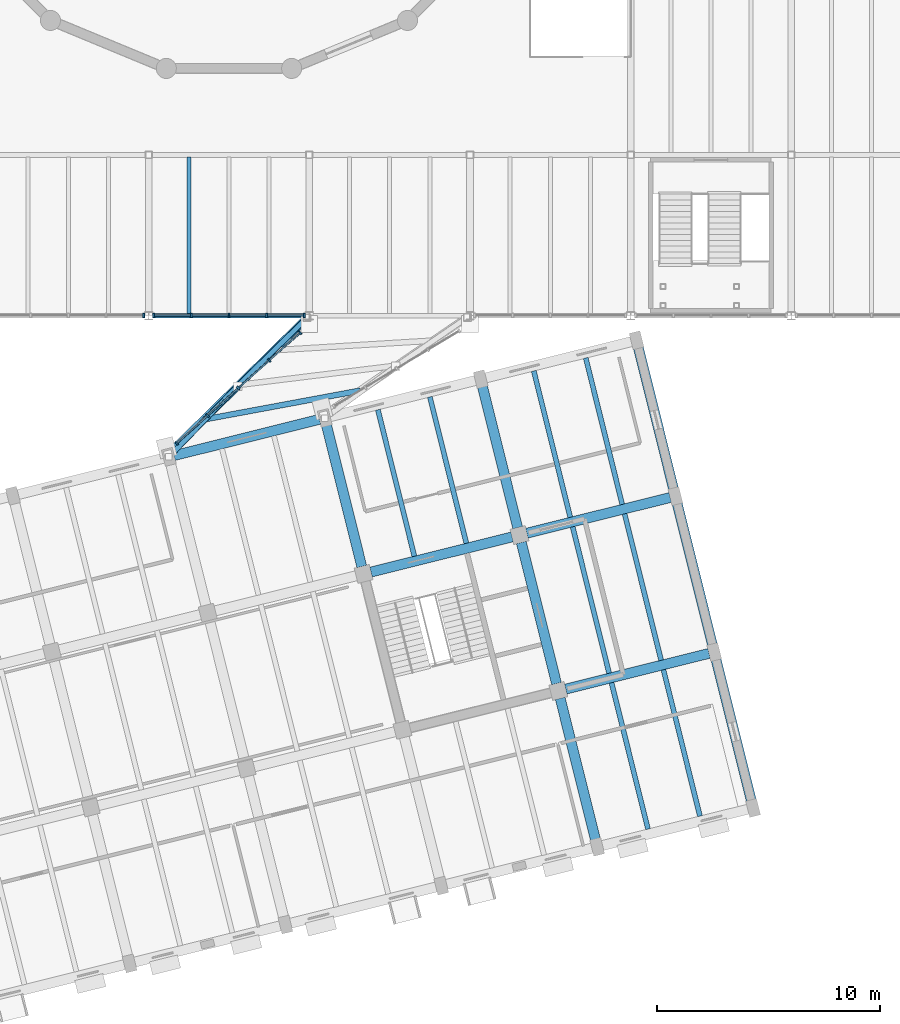
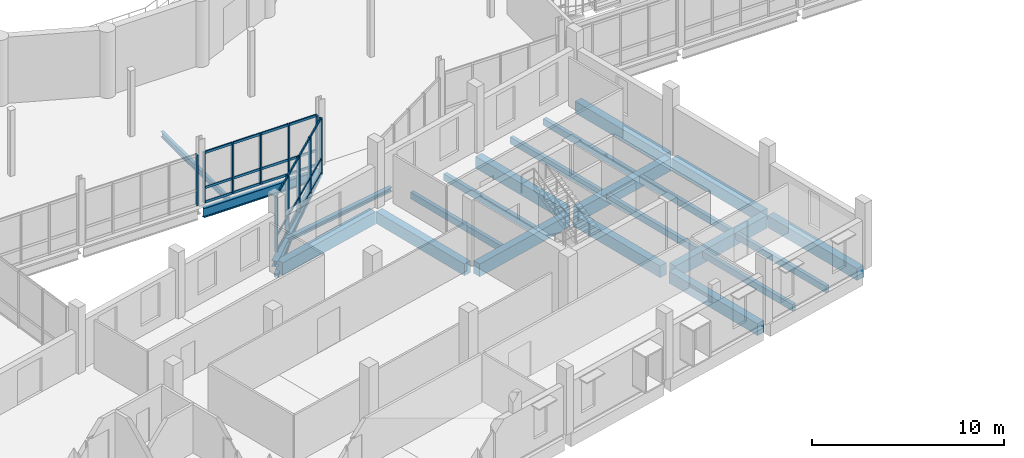
# One storey, part 23 of 72: 37 members, 23 beams, 3 elements without a shape of their own.
"""IFC4 building model written with IfcOpenShell, lengths in metres."""

from ifc_helpers import new_model, si_unit, direction, frame, origin, origin_2d, place, context, subcontext, project, spatial, rectangle, hollow_rectangle, i_section, extrude, material, material_profile, profile_set, type_object, element, aggregate, save


model = new_model("IFC4")

# Units and contexts
model_context = context("Model", 3, precision=1e-05, world=origin(), true_north=direction((0.0, 1.0)))
body_context = subcontext(model_context, "Body", "Model", "MODEL_VIEW")
ifc_project = project(units=[si_unit("LENGTHUNIT", "METRE"), si_unit("AREAUNIT", "SQUARE_METRE"), si_unit("VOLUMEUNIT", "CUBIC_METRE"), si_unit("PLANEANGLEUNIT", "RADIAN"), si_unit("MASSUNIT", "GRAM", prefix="KILO")], contexts=[model_context])

# Site, building, storey
site_placement = place(None, origin())
site = spatial("IfcSite", under=ifc_project, at=site_placement, CompositionType="ELEMENT")
building_placement = place(site_placement, origin())
building = spatial("IfcBuilding", under=site, at=building_placement, Name="Qiaolan Assembly House", CompositionType="ELEMENT")
storey_placement = place(building_placement, frame((0.0, 0.0, 10.199951171875)))
storey = spatial("IfcBuildingStorey", under=building, at=storey_placement, Name="L02", CompositionType="ELEMENT", Elevation=10.199951171875)

# Beams
ifc_material_1 = material(Name="Steel Q355B", Category="steel")
ifc_material_profile_1 = material_profile(ifc_material_1, i_section(OverallWidth=0.35009765625, OverallDepth=0.35009765625, WebThickness=0.011962890625, FlangeThickness=0.01904296875, FilletRadius=0.02001953125, at=origin_2d()), Name="HW 350x350x12x19-BR")
ifc_profile_set_1 = profile_set([ifc_material_profile_1], Name="Steel Q355B")
beam_type_1 = type_object("IfcBeamType", Name="BM-BRIDGE-CHORD-HW350", PredefinedType="BEAM", material=ifc_profile_set_1)
beam_1_placement = place(storey_placement, frame((65.676025390625, 29.783935546875, -0.364990234375), z_axis=(0.713164913251, 0.700996295645, 0.0), x_axis=(-0.700996295645, 0.713164913251, 0.0)))
element("IfcBeam", 1, at=beam_1_placement, inside=storey, type_object=beam_type_1, Name="BGB-01 skybridge main girder EB L02", PredefinedType="BEAM", context=body_context, shape_type="SweptSolid", body=[
    extrude(i_section(OverallWidth=0.35009765625, OverallDepth=0.35009765625, WebThickness=0.011962890625, FlangeThickness=0.01904296875, FilletRadius=0.02001953125, at=origin_2d()), origin(), (0.0, 0.0, 1.0), 8.7275390625),
])
ifc_material_profile_2 = material_profile(ifc_material_1, i_section(OverallWidth=0.25, OverallDepth=0.25, WebThickness=0.009033203125, FlangeThickness=0.013916015625, FilletRadius=0.01611328125, at=origin_2d()), Name="HW 250x250x9x14")
ifc_profile_set_2 = profile_set([ifc_material_profile_2], Name="Steel Q355B")
beam_type_2 = type_object("IfcBeamType", Name="BM-BRIDGE-CROSS-HW250", PredefinedType="BEAM", material=ifc_profile_set_2)
beam_2_placement = place(storey_placement, frame((67.257080078125, 31.337890625, -0.31494140625), z_axis=(0.983212514339, 0.182464110572, 0.0), x_axis=(-0.182464110572, 0.983212514339, 0.0)))
element("IfcBeam", 2, at=beam_2_placement, inside=storey, type_object=beam_type_2, Name="BGB-02 skybridge cross beam EB L02", PredefinedType="BEAM", context=body_context, shape_type="SweptSolid", body=[
    extrude(i_section(OverallWidth=0.25, OverallDepth=0.25, WebThickness=0.009033203125, FlangeThickness=0.013916015625, FilletRadius=0.01611328125, at=origin_2d()), origin(), (0.0, 0.0, 1.0), 7.15966796875),
])
ifc_material_2 = material(Name="Concrete C40/50", Category="concrete")
ifc_material_profile_3 = material_profile(ifc_material_2, rectangle(XDim=0.449951171875, YDim=0.75, at=origin_2d()), Name="RCB 450x750")
ifc_profile_set_3 = profile_set([ifc_material_profile_3], Name="Concrete C40/50")
beam_type_3 = type_object("IfcBeamType", Name="BM-RC-450x750", PredefinedType="BEAM", material=ifc_profile_set_3)
for number, where, z_axis, x_axis, name in (
    (3, (74.350830078125, 24.753173828125, -0.625), (-0.241928153868, 0.970294165893, 0.0), (-0.970294165893, -0.241928153868, 0.0), "GB-04 beam BMV-SE-L02-06-02"),
    (4, (84.8447265625, 12.42578125, -0.625), (-0.241893432628, 0.970302822448, 0.0), (-0.970302822448, -0.241893432628, 0.0), "GB-04 beam BMV-SE-L02-07-00"),
):
    element("IfcBeam", number, at=place(storey_placement, frame(where, z_axis=z_axis, x_axis=x_axis)), inside=storey, type_object=beam_type_3, Name=name, PredefinedType="BEAM", context=body_context, shape_type="SweptSolid", body=[
        extrude(rectangle(XDim=0.449951171875, YDim=0.75, at=origin_2d()), origin(), (0.0, 0.0, 1.0), 6.619873046875),
    ])
beam_3_placement = place(storey_placement, frame((83.078857421875, 19.5087890625, -0.625), z_axis=(-0.241927658105, 0.970294289504, 0.0), x_axis=(-0.970294289504, -0.241927658105, 0.0)))
element("IfcBeam", 5, at=beam_3_placement, inside=storey, type_object=beam_type_3, Name="GB-04 beam BMV-SE-L02-07-01", PredefinedType="BEAM", context=body_context, shape_type="SweptSolid", body=[
    extrude(rectangle(XDim=0.449951171875, YDim=0.75, at=origin_2d()), origin(), (0.0, 0.0, 1.0), 6.52001953125),
])
beam_4_placement = place(storey_placement, frame((81.3369140625, 26.4951171875, -0.625), z_axis=(-0.241928153868, 0.970294165893, 0.0), x_axis=(-0.970294165893, -0.241928153868, 0.0)))
element("IfcBeam", 6, at=beam_4_placement, inside=storey, type_object=beam_type_3, Name="GB-04 beam BMV-SE-L02-07-02", PredefinedType="BEAM", context=body_context, shape_type="SweptSolid", body=[
    extrude(rectangle(XDim=0.449951171875, YDim=0.75, at=origin_2d()), origin(), (0.0, 0.0, 1.0), 6.619873046875),
])
beam_5_placement = place(storey_placement, frame((91.8310546875, 14.16748046875, -0.625), z_axis=(-0.241920106756, 0.970296172283, 0.0), x_axis=(-0.970296172283, -0.241920106756, 0.0)))
element("IfcBeam", 7, at=beam_5_placement, inside=storey, type_object=beam_type_3, Name="GB-04 beam BMV-SE-L02-08-00", PredefinedType="BEAM", context=body_context, shape_type="SweptSolid", body=[
    extrude(rectangle(XDim=0.449951171875, YDim=0.75, at=origin_2d()), origin(), (0.0, 0.0, 1.0), 6.72021484375),
])
for number, where, z_axis, x_axis, name in (
    (8, (90.089111328125, 21.15380859375, -0.625), (-0.241928634891, 0.970294045957, 0.0), (-0.970294045957, -0.241928634891, 0.0), "GB-04 beam BMV-SE-L02-08-01"),
    (9, (88.347412109375, 28.139892578125, -0.625), (-0.241928634891, 0.970294045957, 0.0), (-0.970294045957, -0.241928634891, 0.0), "GB-04 beam BMV-SE-L02-08-02"),
):
    element("IfcBeam", number, at=place(storey_placement, frame(where, z_axis=z_axis, x_axis=x_axis)), inside=storey, type_object=beam_type_3, Name=name, PredefinedType="BEAM", context=body_context, shape_type="SweptSolid", body=[
        extrude(rectangle(XDim=0.449951171875, YDim=0.75, at=origin_2d()), origin(), (0.0, 0.0, 1.0), 6.719970703125),
    ])
ifc_material_profile_4 = material_profile(ifc_material_2, rectangle(XDim=0.449951171875, YDim=0.800048828125, at=origin_2d()), Name="RCB 450x800")
ifc_profile_set_4 = profile_set([ifc_material_profile_4], Name="Concrete C40/50")
beam_type_4 = type_object("IfcBeamType", Name="BM-RC-450x800", PredefinedType="BEAM", material=ifc_profile_set_4)
beam_6_placement = place(storey_placement, frame((83.490966796875, 19.26123046875, -0.64990234375), z_axis=(0.970294165893, 0.241928153868, 0.0), x_axis=(-0.241928153868, 0.970294165893, 0.0)))
element("IfcBeam", 10, at=beam_6_placement, inside=storey, type_object=beam_type_4, Name="GB-03 beam BMU-SE-L02-07-01", PredefinedType="BEAM", context=body_context, shape_type="SweptSolid", body=[
    extrude(rectangle(XDim=0.449951171875, YDim=0.800048828125, at=origin_2d()), origin(), (0.0, 0.0, 1.0), 6.619873046875),
])
beam_7_placement = place(storey_placement, frame((74.762939453125, 24.505615234375, -0.64990234375), z_axis=(0.970303078658, 0.241892404898, 0.0), x_axis=(-0.241892404898, 0.970303078658, 0.0)))
element("IfcBeam", 11, at=beam_7_placement, inside=storey, type_object=beam_type_4, Name="GB-03 beam BMU-SE-L02-06-02", PredefinedType="BEAM", context=body_context, shape_type="SweptSolid", body=[
    extrude(rectangle(XDim=0.449951171875, YDim=0.800048828125, at=origin_2d()), origin(), (0.0, 0.0, 1.0), 6.52001953125),
])
beam_8_placement = place(storey_placement, frame((81.7490234375, 26.247314453125, -0.64990234375), z_axis=(0.970296324294, 0.241919497068, 0.0), x_axis=(-0.241919497068, 0.970296324294, 0.0)))
element("IfcBeam", 12, at=beam_8_placement, inside=storey, type_object=beam_type_4, Name="GB-03 beam BMU-SE-L02-07-02", PredefinedType="BEAM", context=body_context, shape_type="SweptSolid", body=[
    extrude(rectangle(XDim=0.449951171875, YDim=0.800048828125, at=origin_2d()), origin(), (0.0, 0.0, 1.0), 6.6201171875),
])
beam_9_placement = place(storey_placement, frame((65.93798828125, 29.7255859375, -0.64990234375), z_axis=(0.970296172283, 0.241920106756, 0.0), x_axis=(-0.241920106756, 0.970296172283, 0.0)))
element("IfcBeam", 13, at=beam_9_placement, inside=storey, type_object=beam_type_4, Name="GB-03 beam BMU-SE-L02-05-03", PredefinedType="BEAM", context=body_context, shape_type="SweptSolid", body=[
    extrude(rectangle(XDim=0.449951171875, YDim=0.800048828125, at=origin_2d()), origin(), (0.0, 0.0, 1.0), 6.72021484375),
])
ifc_material_profile_5 = material_profile(ifc_material_1, i_section(OverallWidth=0.2099609375, OverallDepth=0.610107421875, WebThickness=0.010986328125, FlangeThickness=0.01806640625, FilletRadius=0.02001953125, at=origin_2d()), Name="HN 610x210x11x18")
ifc_profile_set_5 = profile_set([ifc_material_profile_5], Name="Steel Q355B")
beam_type_5 = type_object("IfcBeamType", Name="BM-STL-HN610", PredefinedType="BEAM", material=ifc_profile_set_5)
beam_10_placement = place(storey_placement, frame((64.965087890625, 36.0, -0.60498046875), z_axis=(1.0, 0.0, 0.0), x_axis=(0.0, 1.0, 0.0)))
element("IfcBeam", 14, at=beam_10_placement, inside=storey, type_object=beam_type_5, Name="SB-11 beam BMX-HL-L02-06-00", PredefinedType="BEAM", context=body_context, shape_type="SweptSolid", body=[
    extrude(i_section(OverallWidth=0.2099609375, OverallDepth=0.610107421875, WebThickness=0.010986328125, FlangeThickness=0.01806640625, FilletRadius=0.02001953125, at=origin_2d()), origin(), (0.0, 0.0, 1.0), 6.869873046875),
])

# Curtain wall, members
ifc_material_3 = material(Name="Anodised bronze aluminium", Category="aluminium")
curtain_wall_type_1 = type_object("IfcCurtainWallType", Name="CW-BRIDGE-420", PredefinedType="NOTDEFINED", material=ifc_material_3)
curtain_wall_1_placement = place(storey_placement, origin())
curtain_wall_1 = element("IfcCurtainWall", 15, at=curtain_wall_1_placement, inside=storey, type_object=curtain_wall_type_1, Name="CW-03 Glazed Skybridge Curtain Wall EB L02 W", PredefinedType="NOTDEFINED")
ifc_material_profile_6 = material_profile(ifc_material_3, rectangle(XDim=0.077880859375, YDim=0.179931640625, at=origin_2d()), Name="MUL 78x180")
ifc_profile_set_6 = profile_set([ifc_material_profile_6], Name="Anodised bronze aluminium")
member_type_1 = type_object("IfcMemberType", Name="CW-BRIDGE-420-MUL", PredefinedType="MULLION", material=ifc_profile_set_6)
member_1_placement = place(storey_placement, frame((66.054443359375, 30.277099609375, 0.0), z_axis=(0.0, 0.0, 1.0), x_axis=(0.745038147648, 0.667021857624, 0.0)))
member_1 = element("IfcMember", 16, at=member_1_placement, type_object=member_type_1, Name="ML-04 mullion CW-BRIDGE-EB-L02-W-1", PredefinedType="MULLION", context=body_context, shape_type="SweptSolid", body=[
    extrude(rectangle(XDim=0.077880859375, YDim=0.179931640625, at=origin_2d()), origin(), (0.0, 0.0, 1.0), 3.550048828125),
])
member_2_placement = place(storey_placement, frame((67.4384765625, 31.51611328125, 0.0), z_axis=(0.0, 0.0, 1.0), x_axis=(0.745038147648, 0.667021857624, 0.0)))
member_2 = element("IfcMember", 17, at=member_2_placement, type_object=member_type_1, Name="ML-04 mullion CW-BRIDGE-EB-L02-W-2", PredefinedType="MULLION", context=body_context, shape_type="SweptSolid", body=[
    extrude(rectangle(XDim=0.077880859375, YDim=0.179931640625, at=origin_2d()), origin(), (0.0, 0.0, 1.0), 3.550048828125),
])
member_3_placement = place(storey_placement, frame((68.822265625, 32.755126953125, 0.0), z_axis=(0.0, 0.0, 1.0), x_axis=(0.745038147648, 0.667021857624, 0.0)))
member_3 = element("IfcMember", 18, at=member_3_placement, type_object=member_type_1, Name="ML-04 mullion CW-BRIDGE-EB-L02-W-3", PredefinedType="MULLION", context=body_context, shape_type="SweptSolid", body=[
    extrude(rectangle(XDim=0.077880859375, YDim=0.179931640625, at=origin_2d()), origin(), (0.0, 0.0, 1.0), 3.550048828125),
])
member_4_placement = place(storey_placement, frame((70.206298828125, 33.994140625, 0.0), z_axis=(0.0, 0.0, 1.0), x_axis=(0.745038147648, 0.667021857624, 0.0)))
member_4 = element("IfcMember", 19, at=member_4_placement, type_object=member_type_1, Name="ML-04 mullion CW-BRIDGE-EB-L02-W-4", PredefinedType="MULLION", context=body_context, shape_type="SweptSolid", body=[
    extrude(rectangle(XDim=0.077880859375, YDim=0.179931640625, at=origin_2d()), origin(), (0.0, 0.0, 1.0), 3.550048828125),
])
member_5_placement = place(storey_placement, frame((71.590087890625, 35.233154296875, 0.0), z_axis=(0.0, 0.0, 1.0), x_axis=(0.745038147648, 0.667021857624, 0.0)))
member_5 = element("IfcMember", 20, at=member_5_placement, type_object=member_type_1, Name="ML-04 mullion CW-BRIDGE-EB-L02-W-5", PredefinedType="MULLION", context=body_context, shape_type="SweptSolid", body=[
    extrude(rectangle(XDim=0.077880859375, YDim=0.179931640625, at=origin_2d()), origin(), (0.0, 0.0, 1.0), 3.550048828125),
])
ifc_material_profile_7 = material_profile(ifc_material_3, rectangle(XDim=0.068115234375, YDim=0.139892578125, at=origin_2d()), Name="TRN 68x140")
ifc_profile_set_7 = profile_set([ifc_material_profile_7], Name="Anodised bronze aluminium")
member_type_2 = type_object("IfcMemberType", Name="CW-BRIDGE-420-TRN", PredefinedType="USERDEFINED", material=ifc_profile_set_7)
member_6_placement = place(storey_placement, frame((66.08349609375, 30.302978515625, 0.030029296875), z_axis=(0.745058300166, 0.666999347341, 0.0), x_axis=(-0.666999347341, 0.745058300166, 0.0)))
member_6 = element("IfcMember", 21, at=member_6_placement, type_object=member_type_2, Name="TR-04 transom CW-BRIDGE-EB-L02-W-1-1", ObjectType="TRANSOM", PredefinedType="USERDEFINED", context=body_context, shape_type="SweptSolid", body=[
    extrude(rectangle(XDim=0.068115234375, YDim=0.139892578125, at=origin_2d()), origin(), (0.0, 0.0, 1.0), 1.779541015625),
])
member_7_placement = place(storey_placement, frame((66.08349609375, 30.302978515625, 0.949951171875), z_axis=(0.745058300166, 0.666999347341, 0.0), x_axis=(-0.666999347341, 0.745058300166, 0.0)))
member_7 = element("IfcMember", 22, at=member_7_placement, type_object=member_type_2, Name="TR-04 transom CW-BRIDGE-EB-L02-W-1-2", ObjectType="TRANSOM", PredefinedType="USERDEFINED", context=body_context, shape_type="SweptSolid", body=[
    extrude(rectangle(XDim=0.068115234375, YDim=0.139892578125, at=origin_2d()), origin(), (0.0, 0.0, 1.0), 1.779541015625),
])
member_8_placement = place(storey_placement, frame((66.08349609375, 30.302978515625, 3.52001953125), z_axis=(0.745058300166, 0.666999347341, 0.0), x_axis=(-0.666999347341, 0.745058300166, 0.0)))
member_8 = element("IfcMember", 23, at=member_8_placement, type_object=member_type_2, Name="TR-04 transom CW-BRIDGE-EB-L02-W-1-3", ObjectType="TRANSOM", PredefinedType="USERDEFINED", context=body_context, shape_type="SweptSolid", body=[
    extrude(rectangle(XDim=0.068115234375, YDim=0.139892578125, at=origin_2d()), origin(), (0.0, 0.0, 1.0), 1.779541015625),
])
member_9_placement = place(storey_placement, frame((67.467529296875, 31.5419921875, 0.030029296875), z_axis=(0.744997258292, 0.66706752667, 0.0), x_axis=(-0.66706752667, 0.744997258292, 0.0)))
member_9 = element("IfcMember", 24, at=member_9_placement, type_object=member_type_2, Name="TR-04 transom CW-BRIDGE-EB-L02-W-2-1", ObjectType="TRANSOM", PredefinedType="USERDEFINED", context=body_context, shape_type="SweptSolid", body=[
    extrude(rectangle(XDim=0.068115234375, YDim=0.139892578125, at=origin_2d()), origin(), (0.0, 0.0, 1.0), 1.779541015625),
])
member_10_placement = place(storey_placement, frame((67.467529296875, 31.5419921875, 0.949951171875), z_axis=(0.744997258292, 0.66706752667, 0.0), x_axis=(-0.66706752667, 0.744997258292, 0.0)))
member_10 = element("IfcMember", 25, at=member_10_placement, type_object=member_type_2, Name="TR-04 transom CW-BRIDGE-EB-L02-W-2-2", ObjectType="TRANSOM", PredefinedType="USERDEFINED", context=body_context, shape_type="SweptSolid", body=[
    extrude(rectangle(XDim=0.068115234375, YDim=0.139892578125, at=origin_2d()), origin(), (0.0, 0.0, 1.0), 1.779541015625),
])
member_11_placement = place(storey_placement, frame((67.467529296875, 31.5419921875, 3.52001953125), z_axis=(0.744997258292, 0.66706752667, 0.0), x_axis=(-0.66706752667, 0.744997258292, 0.0)))
member_11 = element("IfcMember", 26, at=member_11_placement, type_object=member_type_2, Name="TR-04 transom CW-BRIDGE-EB-L02-W-2-3", ObjectType="TRANSOM", PredefinedType="USERDEFINED", context=body_context, shape_type="SweptSolid", body=[
    extrude(rectangle(XDim=0.068115234375, YDim=0.139892578125, at=origin_2d()), origin(), (0.0, 0.0, 1.0), 1.779541015625),
])
member_12_placement = place(storey_placement, frame((68.851318359375, 32.781005859375, 0.030029296875), z_axis=(0.745058300166, 0.666999347341, 0.0), x_axis=(-0.666999347341, 0.745058300166, 0.0)))
member_12 = element("IfcMember", 27, at=member_12_placement, type_object=member_type_2, Name="TR-04 transom CW-BRIDGE-EB-L02-W-3-1", ObjectType="TRANSOM", PredefinedType="USERDEFINED", context=body_context, shape_type="SweptSolid", body=[
    extrude(rectangle(XDim=0.068115234375, YDim=0.139892578125, at=origin_2d()), origin(), (0.0, 0.0, 1.0), 1.779541015625),
])
member_13_placement = place(storey_placement, frame((68.851318359375, 32.781005859375, 0.949951171875), z_axis=(0.745058300166, 0.666999347341, 0.0), x_axis=(-0.666999347341, 0.745058300166, 0.0)))
member_13 = element("IfcMember", 28, at=member_13_placement, type_object=member_type_2, Name="TR-04 transom CW-BRIDGE-EB-L02-W-3-2", ObjectType="TRANSOM", PredefinedType="USERDEFINED", context=body_context, shape_type="SweptSolid", body=[
    extrude(rectangle(XDim=0.068115234375, YDim=0.139892578125, at=origin_2d()), origin(), (0.0, 0.0, 1.0), 1.779541015625),
])
member_14_placement = place(storey_placement, frame((68.851318359375, 32.781005859375, 3.52001953125), z_axis=(0.745058300166, 0.666999347341, 0.0), x_axis=(-0.666999347341, 0.745058300166, 0.0)))
member_14 = element("IfcMember", 29, at=member_14_placement, type_object=member_type_2, Name="TR-04 transom CW-BRIDGE-EB-L02-W-3-3", ObjectType="TRANSOM", PredefinedType="USERDEFINED", context=body_context, shape_type="SweptSolid", body=[
    extrude(rectangle(XDim=0.068115234375, YDim=0.139892578125, at=origin_2d()), origin(), (0.0, 0.0, 1.0), 1.779541015625),
])
member_15_placement = place(storey_placement, frame((70.2353515625, 34.02001953125, 0.030029296875), z_axis=(0.744997258292, 0.66706752667, 0.0), x_axis=(-0.66706752667, 0.744997258292, 0.0)))
member_15 = element("IfcMember", 30, at=member_15_placement, type_object=member_type_2, Name="TR-04 transom CW-BRIDGE-EB-L02-W-4-1", ObjectType="TRANSOM", PredefinedType="USERDEFINED", context=body_context, shape_type="SweptSolid", body=[
    extrude(rectangle(XDim=0.068115234375, YDim=0.139892578125, at=origin_2d()), origin(), (0.0, 0.0, 1.0), 1.779541015625),
])
member_16_placement = place(storey_placement, frame((70.2353515625, 34.02001953125, 0.949951171875), z_axis=(0.744997258292, 0.66706752667, 0.0), x_axis=(-0.66706752667, 0.744997258292, 0.0)))
member_16 = element("IfcMember", 31, at=member_16_placement, type_object=member_type_2, Name="TR-04 transom CW-BRIDGE-EB-L02-W-4-2", ObjectType="TRANSOM", PredefinedType="USERDEFINED", context=body_context, shape_type="SweptSolid", body=[
    extrude(rectangle(XDim=0.068115234375, YDim=0.139892578125, at=origin_2d()), origin(), (0.0, 0.0, 1.0), 1.779541015625),
])
member_17_placement = place(storey_placement, frame((70.2353515625, 34.02001953125, 3.52001953125), z_axis=(0.744997258292, 0.66706752667, 0.0), x_axis=(-0.66706752667, 0.744997258292, 0.0)))
member_17 = element("IfcMember", 32, at=member_17_placement, type_object=member_type_2, Name="TR-04 transom CW-BRIDGE-EB-L02-W-4-3", ObjectType="TRANSOM", PredefinedType="USERDEFINED", context=body_context, shape_type="SweptSolid", body=[
    extrude(rectangle(XDim=0.068115234375, YDim=0.139892578125, at=origin_2d()), origin(), (0.0, 0.0, 1.0), 1.779541015625),
])
aggregate(curtain_wall_1, [member_1, member_2, member_3, member_4, member_5, member_6, member_7, member_8, member_9, member_10, member_11, member_12, member_13, member_14, member_15, member_16, member_17])

# Curtain wall, member
curtain_wall_type_2 = type_object("IfcCurtainWallType", Name="CW-HALL-UPPER-480", PredefinedType="NOTDEFINED", material=ifc_material_3)
curtain_wall_2_placement = place(storey_placement, origin())
curtain_wall_2 = element("IfcCurtainWall", 33, at=curtain_wall_2_placement, inside=storey, type_object=curtain_wall_type_2, Name="CW-01 Hall South plaza curtain wall L02-5", PredefinedType="NOTDEFINED")
ifc_material_profile_8 = material_profile(ifc_material_3, rectangle(XDim=0.0859375, YDim=0.199951171875, at=origin_2d()), Name="MUL 86x200")
ifc_profile_set_8 = profile_set([ifc_material_profile_8], Name="Anodised bronze aluminium")
member_type_3 = type_object("IfcMemberType", Name="CW-HALL-UPPER-480-MUL", PredefinedType="MULLION", material=ifc_profile_set_8)
member_18_placement = place(storey_placement, frame((64.580078125, 36.0, 0.0), z_axis=(0.0, 0.0, 1.0), x_axis=(1.0, 0.0, 0.0)))
member_18 = element("IfcMember", 34, at=member_18_placement, type_object=member_type_3, Name="ML-02 mullion CW-HALL-S-L02-04-5", PredefinedType="MULLION", context=body_context, shape_type="SweptSolid", body=[
    extrude(rectangle(XDim=0.0859375, YDim=0.199951171875, at=origin_2d()), origin(), (0.0, 0.0, 1.0), 3.199951171875),
])
aggregate(curtain_wall_2, [member_18])

# Curtain wall, members
curtain_wall_3_placement = place(storey_placement, origin())
curtain_wall_3 = element("IfcCurtainWall", 35, at=curtain_wall_3_placement, inside=storey, type_object=curtain_wall_type_2, Name="CW-01 Hall South plaza curtain wall L02-6", PredefinedType="NOTDEFINED")
member_19_placement = place(storey_placement, frame((65.02001953125, 36.0, 0.0), z_axis=(0.0, 0.0, 1.0), x_axis=(1.0, 0.0, 0.0)))
member_19 = element("IfcMember", 36, at=member_19_placement, type_object=member_type_3, Name="ML-02 mullion CW-HALL-S-L02-05-1", PredefinedType="MULLION", context=body_context, shape_type="SweptSolid", body=[
    extrude(rectangle(XDim=0.0859375, YDim=0.199951171875, at=origin_2d()), origin(), (0.0, 0.0, 1.0), 3.199951171875),
])
member_20_placement = place(storey_placement, frame((66.7099609375, 36.0, 0.0), z_axis=(0.0, 0.0, 1.0), x_axis=(1.0, 0.0, 0.0)))
member_20 = element("IfcMember", 37, at=member_20_placement, type_object=member_type_3, Name="ML-02 mullion CW-HALL-S-L02-05-2", PredefinedType="MULLION", context=body_context, shape_type="SweptSolid", body=[
    extrude(rectangle(XDim=0.0859375, YDim=0.199951171875, at=origin_2d()), origin(), (0.0, 0.0, 1.0), 3.199951171875),
])
member_21_placement = place(storey_placement, frame((68.39990234375, 36.0, 0.0), z_axis=(0.0, 0.0, 1.0), x_axis=(1.0, 0.0, 0.0)))
member_21 = element("IfcMember", 38, at=member_21_placement, type_object=member_type_3, Name="ML-02 mullion CW-HALL-S-L02-05-3", PredefinedType="MULLION", context=body_context, shape_type="SweptSolid", body=[
    extrude(rectangle(XDim=0.0859375, YDim=0.199951171875, at=origin_2d()), origin(), (0.0, 0.0, 1.0), 3.199951171875),
])
member_22_placement = place(storey_placement, frame((70.090087890625, 36.0, 0.0), z_axis=(0.0, 0.0, 1.0), x_axis=(1.0, 0.0, 0.0)))
member_22 = element("IfcMember", 39, at=member_22_placement, type_object=member_type_3, Name="ML-02 mullion CW-HALL-S-L02-05-4", PredefinedType="MULLION", context=body_context, shape_type="SweptSolid", body=[
    extrude(rectangle(XDim=0.0859375, YDim=0.199951171875, at=origin_2d()), origin(), (0.0, 0.0, 1.0), 3.199951171875),
])
member_23_placement = place(storey_placement, frame((71.780029296875, 36.0, 0.0), z_axis=(0.0, 0.0, 1.0), x_axis=(1.0, 0.0, 0.0)))
member_23 = element("IfcMember", 40, at=member_23_placement, type_object=member_type_3, Name="ML-02 mullion CW-HALL-S-L02-05-5", PredefinedType="MULLION", context=body_context, shape_type="SweptSolid", body=[
    extrude(rectangle(XDim=0.0859375, YDim=0.199951171875, at=origin_2d()), origin(), (0.0, 0.0, 1.0), 3.199951171875),
])
ifc_material_profile_9 = material_profile(ifc_material_3, rectangle(XDim=0.075927734375, YDim=0.14990234375, at=origin_2d()), Name="TRN 76x150")
ifc_profile_set_9 = profile_set([ifc_material_profile_9], Name="Anodised bronze aluminium")
member_type_4 = type_object("IfcMemberType", Name="CW-HALL-UPPER-480-TRN", PredefinedType="USERDEFINED", material=ifc_profile_set_9)
member_24_placement = place(storey_placement, frame((65.06298828125, 36.0, 0.030029296875), z_axis=(1.0, 0.0, 0.0), x_axis=(0.0, 1.0, 0.0)))
member_24 = element("IfcMember", 41, at=member_24_placement, type_object=member_type_4, Name="TR-02 transom CW-HALL-S-L02-05-1-1", ObjectType="TRANSOM", PredefinedType="USERDEFINED", context=body_context, shape_type="SweptSolid", body=[
    extrude(rectangle(XDim=0.075927734375, YDim=0.14990234375, at=origin_2d()), origin(), (0.0, 0.0, 1.0), 1.60400390625),
])
member_25_placement = place(storey_placement, frame((65.06298828125, 36.0, 0.949951171875), z_axis=(1.0, 0.0, 0.0), x_axis=(0.0, 1.0, 0.0)))
member_25 = element("IfcMember", 42, at=member_25_placement, type_object=member_type_4, Name="TR-02 transom CW-HALL-S-L02-05-1-2", ObjectType="TRANSOM", PredefinedType="USERDEFINED", context=body_context, shape_type="SweptSolid", body=[
    extrude(rectangle(XDim=0.075927734375, YDim=0.14990234375, at=origin_2d()), origin(), (0.0, 0.0, 1.0), 1.60400390625),
])
member_26_placement = place(storey_placement, frame((65.06298828125, 36.0, 3.170166015625), z_axis=(1.0, 0.0, 0.0), x_axis=(0.0, 1.0, 0.0)))
member_26 = element("IfcMember", 43, at=member_26_placement, type_object=member_type_4, Name="TR-02 transom CW-HALL-S-L02-05-1-3", ObjectType="TRANSOM", PredefinedType="USERDEFINED", context=body_context, shape_type="SweptSolid", body=[
    extrude(rectangle(XDim=0.075927734375, YDim=0.14990234375, at=origin_2d()), origin(), (0.0, 0.0, 1.0), 1.60400390625),
])
member_27_placement = place(storey_placement, frame((66.7529296875, 36.0, 0.030029296875), z_axis=(1.0, 0.0, 0.0), x_axis=(0.0, 1.0, 0.0)))
member_27 = element("IfcMember", 44, at=member_27_placement, type_object=member_type_4, Name="TR-02 transom CW-HALL-S-L02-05-2-1", ObjectType="TRANSOM", PredefinedType="USERDEFINED", context=body_context, shape_type="SweptSolid", body=[
    extrude(rectangle(XDim=0.075927734375, YDim=0.14990234375, at=origin_2d()), origin(), (0.0, 0.0, 1.0), 1.60400390625),
])
member_28_placement = place(storey_placement, frame((66.7529296875, 36.0, 0.949951171875), z_axis=(1.0, 0.0, 0.0), x_axis=(0.0, 1.0, 0.0)))
member_28 = element("IfcMember", 45, at=member_28_placement, type_object=member_type_4, Name="TR-02 transom CW-HALL-S-L02-05-2-2", ObjectType="TRANSOM", PredefinedType="USERDEFINED", context=body_context, shape_type="SweptSolid", body=[
    extrude(rectangle(XDim=0.075927734375, YDim=0.14990234375, at=origin_2d()), origin(), (0.0, 0.0, 1.0), 1.60400390625),
])
member_29_placement = place(storey_placement, frame((66.7529296875, 36.0, 3.170166015625), z_axis=(1.0, 0.0, 0.0), x_axis=(0.0, 1.0, 0.0)))
member_29 = element("IfcMember", 46, at=member_29_placement, type_object=member_type_4, Name="TR-02 transom CW-HALL-S-L02-05-2-3", ObjectType="TRANSOM", PredefinedType="USERDEFINED", context=body_context, shape_type="SweptSolid", body=[
    extrude(rectangle(XDim=0.075927734375, YDim=0.14990234375, at=origin_2d()), origin(), (0.0, 0.0, 1.0), 1.60400390625),
])
member_30_placement = place(storey_placement, frame((68.443115234375, 36.0, 0.030029296875), z_axis=(1.0, 0.0, 0.0), x_axis=(0.0, 1.0, 0.0)))
member_30 = element("IfcMember", 47, at=member_30_placement, type_object=member_type_4, Name="TR-02 transom CW-HALL-S-L02-05-3-1", ObjectType="TRANSOM", PredefinedType="USERDEFINED", context=body_context, shape_type="SweptSolid", body=[
    extrude(rectangle(XDim=0.075927734375, YDim=0.14990234375, at=origin_2d()), origin(), (0.0, 0.0, 1.0), 1.60400390625),
])
member_31_placement = place(storey_placement, frame((68.443115234375, 36.0, 0.949951171875), z_axis=(1.0, 0.0, 0.0), x_axis=(0.0, 1.0, 0.0)))
member_31 = element("IfcMember", 48, at=member_31_placement, type_object=member_type_4, Name="TR-02 transom CW-HALL-S-L02-05-3-2", ObjectType="TRANSOM", PredefinedType="USERDEFINED", context=body_context, shape_type="SweptSolid", body=[
    extrude(rectangle(XDim=0.075927734375, YDim=0.14990234375, at=origin_2d()), origin(), (0.0, 0.0, 1.0), 1.60400390625),
])
member_32_placement = place(storey_placement, frame((68.443115234375, 36.0, 3.170166015625), z_axis=(1.0, 0.0, 0.0), x_axis=(0.0, 1.0, 0.0)))
member_32 = element("IfcMember", 49, at=member_32_placement, type_object=member_type_4, Name="TR-02 transom CW-HALL-S-L02-05-3-3", ObjectType="TRANSOM", PredefinedType="USERDEFINED", context=body_context, shape_type="SweptSolid", body=[
    extrude(rectangle(XDim=0.075927734375, YDim=0.14990234375, at=origin_2d()), origin(), (0.0, 0.0, 1.0), 1.60400390625),
])
member_33_placement = place(storey_placement, frame((70.133056640625, 36.0, 0.030029296875), z_axis=(1.0, 0.0, 0.0), x_axis=(0.0, 1.0, 0.0)))
member_33 = element("IfcMember", 50, at=member_33_placement, type_object=member_type_4, Name="TR-02 transom CW-HALL-S-L02-05-4-1", ObjectType="TRANSOM", PredefinedType="USERDEFINED", context=body_context, shape_type="SweptSolid", body=[
    extrude(rectangle(XDim=0.075927734375, YDim=0.14990234375, at=origin_2d()), origin(), (0.0, 0.0, 1.0), 1.60400390625),
])
member_34_placement = place(storey_placement, frame((70.133056640625, 36.0, 0.949951171875), z_axis=(1.0, 0.0, 0.0), x_axis=(0.0, 1.0, 0.0)))
member_34 = element("IfcMember", 51, at=member_34_placement, type_object=member_type_4, Name="TR-02 transom CW-HALL-S-L02-05-4-2", ObjectType="TRANSOM", PredefinedType="USERDEFINED", context=body_context, shape_type="SweptSolid", body=[
    extrude(rectangle(XDim=0.075927734375, YDim=0.14990234375, at=origin_2d()), origin(), (0.0, 0.0, 1.0), 1.60400390625),
])
member_35_placement = place(storey_placement, frame((70.133056640625, 36.0, 3.170166015625), z_axis=(1.0, 0.0, 0.0), x_axis=(0.0, 1.0, 0.0)))
member_35 = element("IfcMember", 52, at=member_35_placement, type_object=member_type_4, Name="TR-02 transom CW-HALL-S-L02-05-4-3", ObjectType="TRANSOM", PredefinedType="USERDEFINED", context=body_context, shape_type="SweptSolid", body=[
    extrude(rectangle(XDim=0.075927734375, YDim=0.14990234375, at=origin_2d()), origin(), (0.0, 0.0, 1.0), 1.60400390625),
])
aggregate(curtain_wall_3, [member_19, member_20, member_21, member_22, member_23, member_24, member_25, member_26, member_27, member_28, member_29, member_30, member_31, member_32, member_33, member_34, member_35])

# Beams
ifc_material_profile_10 = material_profile(ifc_material_2, rectangle(XDim=0.219970703125, YDim=0.419921875, at=origin_2d()), Name="RCB 220x420")
ifc_profile_set_10 = profile_set([ifc_material_profile_10], Name="Concrete C40/50")
beam_type_6 = type_object("IfcBeamType", Name="JST-RC-220x420", PredefinedType="JOIST", material=ifc_profile_set_10)
beam_11_placement = place(storey_placement, frame((76.708740234375, 25.21630859375, -0.4599609375), z_axis=(-0.241898439004, 0.970301574361, 0.0), x_axis=(-0.970301574361, -0.241898439004, 0.0)))
element("IfcBeam", 53, at=beam_11_placement, inside=storey, type_object=beam_type_6, Name="RJ-03 beam JST-SE-L02-06-02-1", PredefinedType="JOIST", context=body_context, shape_type="SweptSolid", body=[
    extrude(rectangle(XDim=0.219970703125, YDim=0.419921875, at=origin_2d()), origin(), (0.0, 0.0, 1.0), 6.76220703125),
])
for number, where, z_axis, x_axis, name in (
    (54, (79.03759765625, 25.797119140625, -0.4599609375), (-0.241940905686, 0.970290986331, 0.0), (-0.970290986331, -0.241940905686, 0.0), "RJ-03 beam JST-SE-L02-06-02-2"),
    (55, (87.1787109375, 12.986083984375, -0.4599609375), (-0.241940905686, 0.970290986331, 0.0), (-0.970290986331, -0.241940905686, 0.0), "RJ-03 beam JST-SE-L02-07-00-1"),
    (56, (89.50732421875, 13.566650390625, -0.4599609375), (-0.241906913479, 0.970299461615, 0.0), (-0.970299461615, -0.241906913479, 0.0), "RJ-03 beam JST-SE-L02-07-00-2"),
    (57, (85.436767578125, 19.97216796875, -0.4599609375), (-0.241906913479, 0.970299461615, 0.0), (-0.970299461615, -0.241906913479, 0.0), "RJ-03 beam JST-SE-L02-07-01-1"),
    (58, (87.765625, 20.552734375, -0.4599609375), (-0.241940905686, 0.970290986331, 0.0), (-0.970290986331, -0.241940905686, 0.0), "RJ-03 beam JST-SE-L02-07-01-2"),
    (59, (83.695068359375, 26.958251953125, -0.4599609375), (-0.241940905686, 0.970290986331, 0.0), (-0.970290986331, -0.241940905686, 0.0), "RJ-03 beam JST-SE-L02-07-02-1"),
):
    element("IfcBeam", number, at=place(storey_placement, frame(where, z_axis=z_axis, x_axis=x_axis)), inside=storey, type_object=beam_type_6, Name=name, PredefinedType="JOIST", context=body_context, shape_type="SweptSolid", body=[
        extrude(rectangle(XDim=0.219970703125, YDim=0.419921875, at=origin_2d()), origin(), (0.0, 0.0, 1.0), 6.761962890625),
    ])
beam_12_placement = place(storey_placement, frame((86.023681640625, 27.538818359375, -0.4599609375), z_axis=(-0.241932430168, 0.970293099652, 0.0), x_axis=(-0.970293099652, -0.241932430168, 0.0)))
element("IfcBeam", 60, at=beam_12_placement, inside=storey, type_object=beam_type_6, Name="RJ-03 beam JST-SE-L02-07-02-2", PredefinedType="JOIST", context=body_context, shape_type="SweptSolid", body=[
    extrude(rectangle(XDim=0.219970703125, YDim=0.419921875, at=origin_2d()), origin(), (0.0, 0.0, 1.0), 6.76220703125),
])
ifc_material_profile_11 = material_profile(ifc_material_1, i_section(OverallWidth=0.179931640625, OverallDepth=0.35498046875, WebThickness=0.007568359375, FlangeThickness=0.011474609375, FilletRadius=0.013916015625, at=origin_2d()), Name="HM 355x180x7.5x11.5")
ifc_profile_set_11 = profile_set([ifc_material_profile_11], Name="Steel Q355B")
beam_type_7 = type_object("IfcBeamType", Name="JST-STL-HM355", PredefinedType="JOIST", material=ifc_profile_set_11)
beam_13_placement = place(storey_placement, frame((66.60009765625, 36.09912109375, -0.4775390625), z_axis=(0.0, 1.0, 0.0), x_axis=(-1.0, 0.0, 0.0)))
element("IfcBeam", 61, at=beam_13_placement, inside=storey, type_object=beam_type_7, Name="SJ-04 beam JST-HL-L02-06-00-1", PredefinedType="JOIST", context=body_context, shape_type="SweptSolid", body=[
    extrude(i_section(OverallWidth=0.179931640625, OverallDepth=0.35498046875, WebThickness=0.007568359375, FlangeThickness=0.011474609375, FilletRadius=0.013916015625, at=origin_2d()), origin(), (0.0, 0.0, 1.0), 7.001953125),
])

# Members
ifc_material_profile_12 = material_profile(ifc_material_1, hollow_rectangle(XDim=0.25, YDim=0.25, WallThickness=0.010009765625, InnerFilletRadius=0.010009765625, OuterFilletRadius=0.02001953125, at=origin_2d()), Name="SHS 250x250x10")
ifc_profile_set_12 = profile_set([ifc_material_profile_12], Name="Steel Q355B")
member_type_5 = type_object("IfcMemberType", Name="MBR-BRACE-BRIDGE-SHS250", PredefinedType="BRACE", material=ifc_profile_set_12)
member_36_placement = place(storey_placement, frame((65.705078125, 29.66748046875, -1.051025390625), z_axis=(0.688356318482, 0.709015729687, 0.153173998649), x_axis=(-0.717482573626, 0.696576454198, 0.0)))
element("IfcMember", 62, at=member_36_placement, inside=storey, type_object=member_type_5, Name="BR-03 skybridge brace EB L02", PredefinedType="BRACE", context=body_context, shape_type="SweptSolid", body=[
    extrude(hollow_rectangle(XDim=0.25, YDim=0.25, WallThickness=0.010009765625, InnerFilletRadius=0.010009765625, OuterFilletRadius=0.02001953125, at=origin_2d()), origin(), (0.0, 0.0, 1.0), 4.478759765625),
])
member_37_placement = place(storey_placement, frame((68.7880859375, 32.843017578125, -0.364990234375), z_axis=(0.713178898229, 0.700982067617, 0.0), x_axis=(-0.700982067617, 0.713178898229, 0.0)))
element("IfcMember", 63, at=member_37_placement, inside=storey, type_object=member_type_5, Name="BR-03 skybridge brace EB L02", PredefinedType="BRACE", context=body_context, shape_type="SweptSolid", body=[
    extrude(hollow_rectangle(XDim=0.25, YDim=0.25, WallThickness=0.010009765625, InnerFilletRadius=0.010009765625, OuterFilletRadius=0.02001953125, at=origin_2d()), origin(), (0.0, 0.0, 1.0), 4.363525390625),
])

save(model, "model.ifc")
